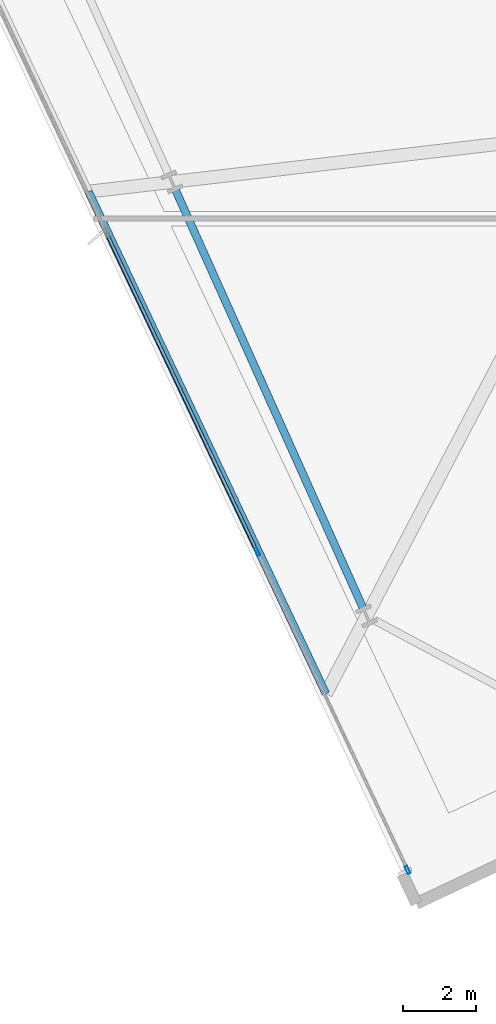
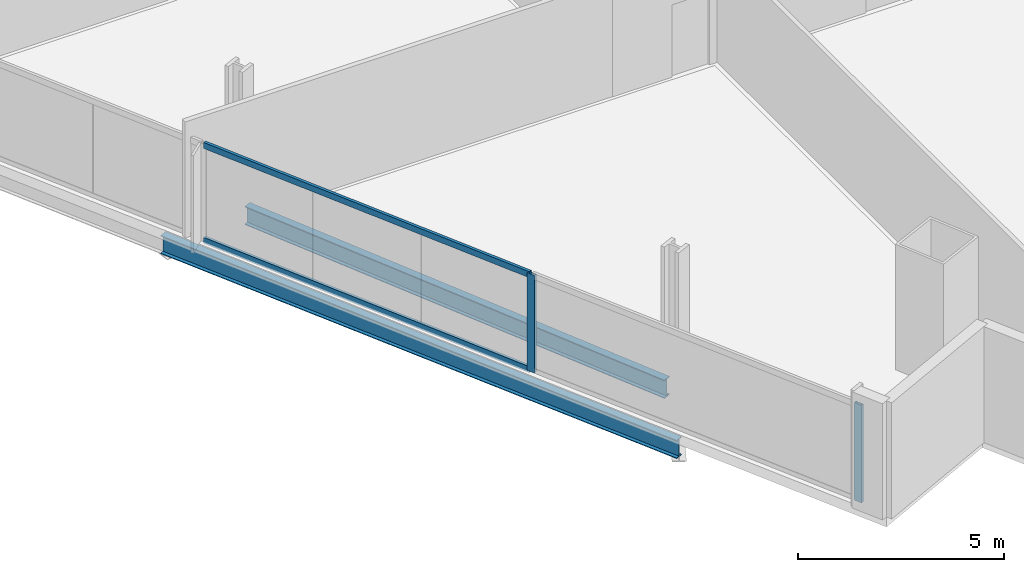
# One storey, part 2 of 34: 4 members, 2 beams, 1 element without a shape of its own.
"""IFC4 building model written with IfcOpenShell, lengths in metres."""

import ifcopenshell
import ifcopenshell.guid

model = None  # the IFC model being written
_history = None  # IfcOwnerHistory: only IFC2X3 demands one
_inside = {}  # id of a spatial element -> (the spatial element, [elements in it])
_under = {}  # id of a project, library or spatial element -> (it, [spatial elements below it])
_declared = {}  # id of a project -> (the project, [libraries it declares])
_typed = {}  # id of a type object -> (the type object, [elements of that type])
_made_of = {}  # id of a material, layer set ... -> (it, [elements and type objects made of it])


def new_model(schema):
    """Start an empty IFC model of exactly this schema.

    Asked for "IFC4X3", IfcOpenShell would pick the latest addendum, in which some entities
    have other attributes; the version numbers below select the first issue.
    IFC2X3 requires an IfcOwnerHistory on every rooted entity: one is made here for all.
    """
    global model, _history
    if schema == "IFC4X3":
        model = ifcopenshell.file(schema_version=(4, 3, 0, 0))
    else:
        model = ifcopenshell.file(schema=schema)
    _inside.clear()
    _under.clear()
    _declared.clear()
    _typed.clear()
    _made_of.clear()
    _history = None
    if model.schema == "IFC2X3":
        org = make("IfcOrganization", Name="unknown")
        user = make(
            "IfcPersonAndOrganization",
            ThePerson=make("IfcPerson", FamilyName="unknown"),
            TheOrganization=org,
        )
        app = make(
            "IfcApplication",
            ApplicationDeveloper=org,
            Version="unknown",
            ApplicationFullName="unknown",
            ApplicationIdentifier="unknown",
        )
        _history = make(
            "IfcOwnerHistory",
            OwningUser=user,
            OwningApplication=app,
            ChangeAction="ADDED",
            CreationDate=0,
        )
    return model


def make(cls, **values):
    """One entity of the class cls with the attributes given. An attribute that is None is left unset."""
    return model.create_entity(
        cls, **{name: value for name, value in values.items() if value is not None}
    )


def rooted(cls, **values):
    """An entity with a GlobalId (a new one), such as an element, a storey or a relation."""
    return make(cls, GlobalId=ifcopenshell.guid.new(), OwnerHistory=_history, **values)


def si_unit(unit_type, name, prefix=None):
    """IfcSIUnit, for example si_unit("LENGTHUNIT", "METRE", prefix="MILLI")."""
    return make("IfcSIUnit", UnitType=unit_type, Prefix=prefix, Name=name)


def assignment(units):
    """IfcUnitAssignment: the units of a project."""
    return None if units is None else make("IfcUnitAssignment", Units=units)


def point(xyz):
    """IfcCartesianPoint."""
    return None if xyz is None else make("IfcCartesianPoint", Coordinates=xyz)


def direction(xyz):
    """IfcDirection."""
    return None if xyz is None else make("IfcDirection", DirectionRatios=xyz)


def frame(location, z_axis=None, x_axis=None):
    """IfcAxis2Placement3D, a coordinate frame: its origin and axes. An axis left out is left unset."""
    return make(
        "IfcAxis2Placement3D",
        Location=point(location),
        Axis=direction(z_axis),
        RefDirection=direction(x_axis),
    )


def frame_2d(location, x_axis=None):
    """IfcAxis2Placement2D, a coordinate frame in the plane: its origin and x axis."""
    return make(
        "IfcAxis2Placement2D", Location=point(location), RefDirection=direction(x_axis)
    )


def origin():
    """The frame at (0, 0, 0) with its axes left unset."""
    return frame((0.0, 0.0, 0.0))


def origin_2d():
    """The frame at (0, 0) in the plane with its x axis left unset."""
    return frame_2d((0.0, 0.0))


def place(relative_to, where):
    """IfcLocalPlacement: puts the frame where relative to a parent placement (None: the world)."""
    return make(
        "IfcLocalPlacement", PlacementRelTo=relative_to, RelativePlacement=where
    )


def context(
    kind, dimensions, precision=None, world=None, true_north=None, identifier=None
):
    """IfcGeometricRepresentationContext, for example the 3D "Model" context."""
    return make(
        "IfcGeometricRepresentationContext",
        ContextIdentifier=identifier,
        ContextType=kind,
        CoordinateSpaceDimension=dimensions,
        Precision=precision,
        WorldCoordinateSystem=world,
        TrueNorth=true_north,
    )


def subcontext(parent, identifier, kind, view, scale=None):
    """IfcGeometricRepresentationSubContext, for example "Body" below "Model"."""
    return make(
        "IfcGeometricRepresentationSubContext",
        ContextIdentifier=identifier,
        ContextType=kind,
        ParentContext=parent,
        TargetScale=scale,
        TargetView=view,
    )


def project(units=None, contexts=None):
    """IfcProject with its units and contexts."""
    return rooted(
        "IfcProject",
        Name="project",
        RepresentationContexts=contexts,
        UnitsInContext=assignment(units),
    )


def spatial(cls, under=None, at=None, **own):
    """A site, building, storey or space (cls), placed at a placement, below another one or the project."""
    s = rooted(cls, ObjectPlacement=at, **own)
    if under is not None:
        _under.setdefault(under.id(), (under, []))[1].append(s)
    return s


def profile(cls, at=None, kind="AREA", **sizes):
    """A parametric profile (cls). Its sizes go by their IFC names, for example OverallWidth=200.0."""
    return make(cls, ProfileType=kind, Position=at, **sizes)


def hollow_rectangle(**sizes):
    """IfcRectangleHollowProfileDef."""
    return profile("IfcRectangleHollowProfileDef", **sizes)


def i_section(**sizes):
    """IfcIShapeProfileDef."""
    return profile("IfcIShapeProfileDef", **sizes)


def extrude(swept, where, along, depth):
    """IfcExtrudedAreaSolid: the profile swept, set in the frame where, extruded along a direction by depth."""
    return make(
        "IfcExtrudedAreaSolid",
        SweptArea=swept,
        Position=where,
        ExtrudedDirection=direction(along),
        Depth=depth,
    )


def shape(context_of_items, identifier, shape_type, items):
    """IfcShapeRepresentation: the items that make up one representation, for example the "Body"."""
    return make(
        "IfcShapeRepresentation",
        ContextOfItems=context_of_items,
        RepresentationIdentifier=identifier,
        RepresentationType=shape_type,
        Items=items,
    )


def material(Name=None, Category=None):
    """IfcMaterial."""
    return make("IfcMaterial", Name=Name, Category=Category)


def material_profile(
    of_material, cross_section, Name=None, Category=None, Priority=None
):
    """IfcMaterialProfile: a cross section and its material."""
    return make(
        "IfcMaterialProfile",
        Name=Name,
        Material=of_material,
        Profile=cross_section,
        Priority=Priority,
        Category=Category,
    )


def profile_set(profiles, Name=None, composite=None):
    """IfcMaterialProfileSet."""
    return make(
        "IfcMaterialProfileSet",
        Name=Name,
        MaterialProfiles=profiles,
        CompositeProfile=composite,
    )


def made_of(thing, what):
    """Note that an element or type object is made of a material, layer set ...; save() writes the relation."""
    if what is not None:
        _made_of.setdefault(what.id(), (what, []))[1].append(thing)
    return thing


def type_object(cls, material=None, **own):
    """A type object (cls), such as IfcWallType, which elements share."""
    return made_of(rooted(cls, **own), material)


def element(
    cls,
    number,
    at=None,
    inside=None,
    cuts=None,
    type_object=None,
    material=None,
    context=None,
    identifier="Body",
    shape_type=None,
    held_by="IfcProductDefinitionShape",
    body=None,
    shapes=None,
    **own,
):
    """One element of the class cls, such as IfcWall. Its Tag is "e" and its number.

    at: its placement. inside: the storey or other place that contains it. cuts: it is an
    opening in that element (IfcRelVoidsElement). A single representation is given by context,
    identifier, shape_type and body (its items); several are given by shapes. held_by: the class
    of the entity that holds the representations. save() writes the other relations.
    """
    e = rooted(cls, Tag="e%d" % number, ObjectPlacement=at, **own)
    if body is not None:
        shapes = [shape(context, identifier, shape_type, body)]
    if shapes is not None:
        e.Representation = make(held_by, Representations=shapes)
    if inside is not None:
        _inside.setdefault(inside.id(), (inside, []))[1].append(e)
    if cuts is not None:
        rooted(
            "IfcRelVoidsElement", RelatingBuildingElement=cuts, RelatedOpeningElement=e
        )
    if type_object is not None:
        _typed.setdefault(type_object.id(), (type_object, []))[1].append(e)
    return made_of(e, material)


def aggregate(whole, parts):
    """IfcRelAggregates: a whole, such as a stair, and the parts it consists of."""
    return rooted("IfcRelAggregates", RelatingObject=whole, RelatedObjects=parts)


def save(model, path):
    """Write the relations noted so far, then the file.

    IfcRelAggregates (storeys below a building ...), IfcRelContainedInSpatialStructure (elements
    in a storey), IfcRelDefinesByType, IfcRelAssociatesMaterial and IfcRelDeclares: one each for
    every whole, place, type object, material and project.
    """
    for whole, parts in _under.values():
        aggregate(whole, parts)
    for where, things in _inside.values():
        rooted(
            "IfcRelContainedInSpatialStructure",
            RelatedElements=things,
            RelatingStructure=where,
        )
    for kind, things in _typed.values():
        rooted("IfcRelDefinesByType", RelatedObjects=things, RelatingType=kind)
    for what, things in _made_of.values():
        rooted("IfcRelAssociatesMaterial", RelatedObjects=things, RelatingMaterial=what)
    for by, libraries in _declared.values():
        rooted("IfcRelDeclares", RelatingContext=by, RelatedDefinitions=libraries)
    model.write(path)


model = new_model("IFC4")

# Units and contexts
model_context = context("Model", 3, precision=1e-05, world=origin(), true_north=direction((0.0, 1.0)))
body_context = subcontext(model_context, "Body", "Model", "MODEL_VIEW")
ifc_project = project(units=[si_unit("LENGTHUNIT", "METRE"), si_unit("AREAUNIT", "SQUARE_METRE"), si_unit("VOLUMEUNIT", "CUBIC_METRE"), si_unit("PLANEANGLEUNIT", "RADIAN"), si_unit("MASSUNIT", "GRAM", prefix="KILO")], contexts=[model_context])

# Site, building, storey
site_placement = place(None, origin())
site = spatial("IfcSite", under=ifc_project, at=site_placement, CompositionType="ELEMENT")
building_placement = place(site_placement, origin())
building = spatial("IfcBuilding", under=site, at=building_placement, Name="Haldenkirk Collegiate Tower", CompositionType="ELEMENT")
storey_placement = place(building_placement, frame((0.0, 0.0, 112.949951171875)))
storey = spatial("IfcBuildingStorey", under=building, at=storey_placement, Name="L27", CompositionType="ELEMENT", Elevation=112.949951171875)

# Beams
ifc_material_1 = material(Name="Steel ASTM A992 Grade 50", Category="steel")
ifc_material_profile_1 = material_profile(ifc_material_1, i_section(OverallWidth=0.2119140625, OverallDepth=0.5439453125, WebThickness=0.01318359375, FlangeThickness=0.021240234375, at=origin_2d()), Name="W21X83")
ifc_profile_set_1 = profile_set([ifc_material_profile_1], Name="Steel ASTM A992 Grade 50")
beam_type = type_object("IfcBeamType", Name="BM-SPANDREL-W21X83", PredefinedType="SPANDREL", material=ifc_profile_set_1)
beam_1_placement = place(storey_placement, frame((14.742919921875, 16.3369140625, -0.572021484375), z_axis=(0.409131045523, -0.91247563671, 0.0), x_axis=(0.91247563671, 0.409131045523, 0.0)))
element("IfcBeam", 1, at=beam_1_placement, inside=storey, type_object=beam_type, Name="L27 perimeter spandrel beam 15", PredefinedType="SPANDREL", context=body_context, shape_type="SweptSolid", body=[
    extrude(i_section(OverallWidth=0.2119140625, OverallDepth=0.5439453125, WebThickness=0.01318359375, FlangeThickness=0.021240234375, at=origin_2d()), origin(), (0.0, 0.0, 1.0), 12.593994140625),
])
beam_2_placement = place(storey_placement, frame((12.349609375, 16.2939453125, -0.572021484375), z_axis=(0.427348975622, -0.904086750835, 0.0), x_axis=(0.904086750835, 0.427348975622, 0.0)))
element("IfcBeam", 2, at=beam_2_placement, inside=storey, type_object=beam_type, Name="L27 outer facade edge beam 4B", PredefinedType="SPANDREL", context=body_context, shape_type="SweptSolid", body=[
    extrude(i_section(OverallWidth=0.2119140625, OverallDepth=0.5439453125, WebThickness=0.01318359375, FlangeThickness=0.021240234375, at=origin_2d()), origin(), (0.0, 0.0, 1.0), 15.274658203125),
])

# Curtain wall, members
ifc_material_2 = material(Name="Anodised architectural bronze aluminium", Category="aluminium")
curtain_wall_type = type_object("IfcCurtainWallType", Name="CW-SYS1-CONVEX-LOW", PredefinedType="USERDEFINED", material=ifc_material_2)
curtain_wall_placement = place(storey_placement, origin())
curtain_wall = element("IfcCurtainWall", 3, at=curtain_wall_placement, inside=storey, type_object=curtain_wall_type, Name="L27 Lower tower convex bronze-framed unitised curtain wall", ObjectType="UNITISED CURTAIN WALL", PredefinedType="USERDEFINED")
ifc_material_profile_2 = material_profile(ifc_material_2, hollow_rectangle(XDim=0.080078125, YDim=0.219970703125, WallThickness=0.0048828125, at=origin_2d()), Name="CW-MUL-1A")
ifc_profile_set_2 = profile_set([ifc_material_profile_2], Name="Anodised architectural bronze aluminium")
member_type_1 = type_object("IfcMemberType", Name="CW-MUL-1A", PredefinedType="MULLION", material=ifc_profile_set_2)
member_1_placement = place(storey_placement, frame((21.124267578125, -2.36279296875, 0.0), z_axis=(0.0, 0.0, 1.0), x_axis=(-0.904081410273, -0.427360273772, 0.0)))
member_1 = element("IfcMember", 4, at=member_1_placement, type_object=member_type_1, Name="CW-1A mullion 1", PredefinedType="MULLION", context=body_context, shape_type="SweptSolid", body=[
    extrude(hollow_rectangle(XDim=0.080078125, YDim=0.219970703125, WallThickness=0.0048828125, at=origin_2d()), origin(), (0.0, 0.0, 1.0), 2.901123046875),
])
member_2_placement = place(storey_placement, frame((16.98779296875, 6.3876953125, 0.0), z_axis=(0.0, 0.0, 1.0), x_axis=(-0.904081410273, -0.427360273772, 0.0)))
member_2 = element("IfcMember", 5, at=member_2_placement, type_object=member_type_1, Name="CW-1A mullion 2", PredefinedType="MULLION", context=body_context, shape_type="SweptSolid", body=[
    extrude(hollow_rectangle(XDim=0.080078125, YDim=0.219970703125, WallThickness=0.0048828125, at=origin_2d()), origin(), (0.0, 0.0, 1.0), 2.901123046875),
])
ifc_material_profile_3 = material_profile(ifc_material_2, hollow_rectangle(XDim=0.080078125, YDim=0.179931640625, WallThickness=0.0048828125, at=origin_2d()), Name="CW-TRN-1A")
ifc_profile_set_3 = profile_set([ifc_material_profile_3], Name="Anodised architectural bronze aluminium")
member_type_2 = type_object("IfcMemberType", Name="CW-TRN-1A", PredefinedType="USERDEFINED", material=ifc_profile_set_3)
member_3_placement = place(storey_placement, frame((16.970703125, 6.423828125, 0.0400390625), z_axis=(-0.427357784612, 0.904082586898, 0.0), x_axis=(-0.904082586898, -0.427357784612, 0.0)))
member_3 = element("IfcMember", 6, at=member_3_placement, type_object=member_type_2, Name="CW-1A transom 2.1", ObjectType="TRANSOM", PredefinedType="USERDEFINED", context=body_context, shape_type="SweptSolid", body=[
    extrude(hollow_rectangle(XDim=0.080078125, YDim=0.179931640625, WallThickness=0.0048828125, at=origin_2d()), origin(), (0.0, 0.0, 1.0), 9.638671875),
])
member_4_placement = place(storey_placement, frame((16.970703125, 6.423828125, 2.861083984375), z_axis=(-0.427357784612, 0.904082586898, 0.0), x_axis=(-0.904082586898, -0.427357784612, 0.0)))
member_4 = element("IfcMember", 7, at=member_4_placement, type_object=member_type_2, Name="CW-1A transom 2.2", ObjectType="TRANSOM", PredefinedType="USERDEFINED", context=body_context, shape_type="SweptSolid", body=[
    extrude(hollow_rectangle(XDim=0.080078125, YDim=0.179931640625, WallThickness=0.0048828125, at=origin_2d()), origin(), (0.0, 0.0, 1.0), 9.638671875),
])
aggregate(curtain_wall, [member_1, member_2, member_3, member_4])

save(model, "model.ifc")
